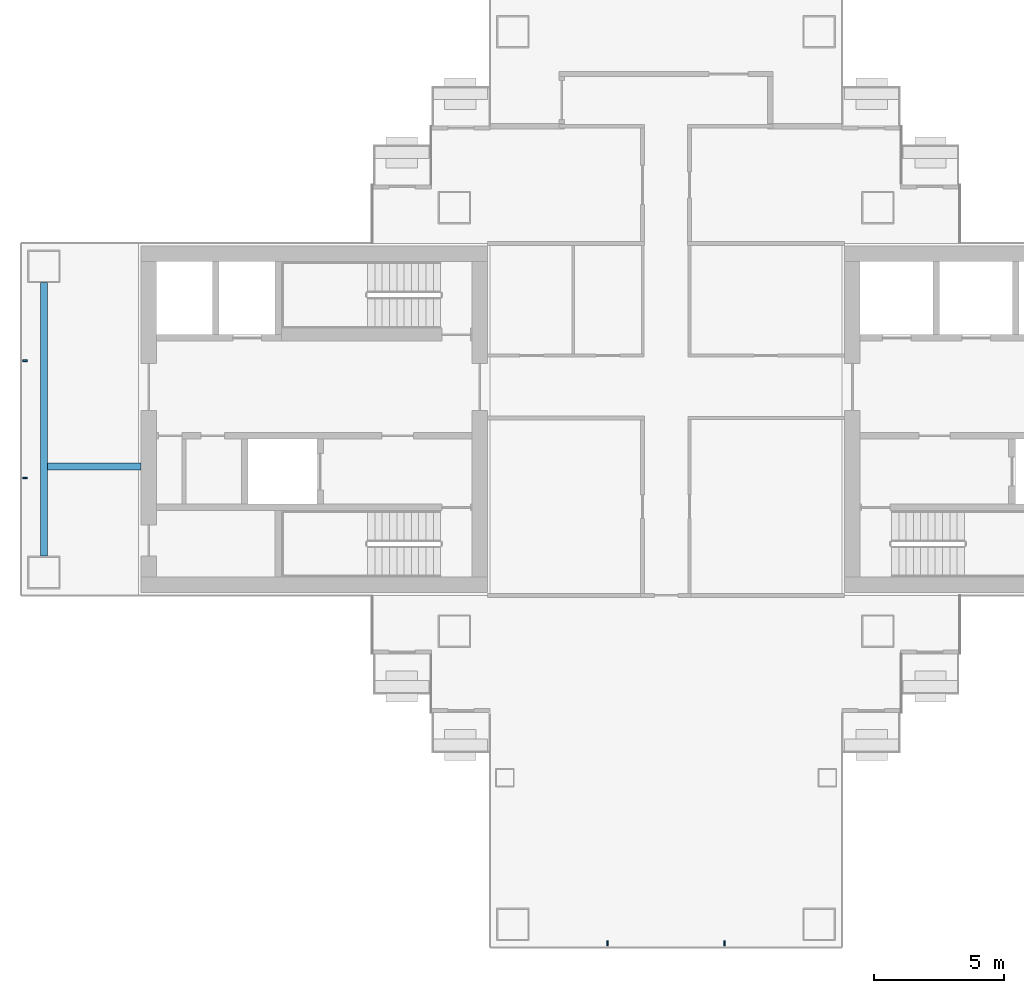
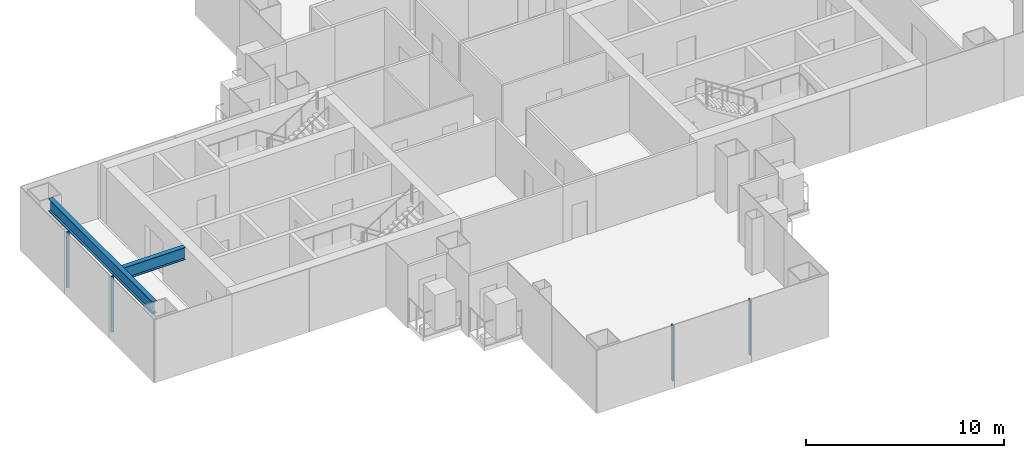
# One storey, part 3 of 20: 4 members, 2 beams, 2 elements without a shape of their own.
"""IFC4 building model written with IfcOpenShell, lengths in metres."""

from ifc_helpers import new_model, si_unit, direction, frame, origin, origin_2d, place, context, subcontext, project, spatial, rectangle, i_section, extrude, material, layer, layer_set, material_profile, profile_set, type_object, element, aggregate, save


model = new_model("IFC4")

# Units and contexts
model_context = context("Model", 3, precision=1e-05, world=origin(), true_north=direction((0.0, 1.0)))
body_context = subcontext(model_context, "Body", "Model", "MODEL_VIEW")
ifc_project = project(units=[si_unit("LENGTHUNIT", "METRE"), si_unit("AREAUNIT", "SQUARE_METRE"), si_unit("VOLUMEUNIT", "CUBIC_METRE"), si_unit("PLANEANGLEUNIT", "RADIAN"), si_unit("MASSUNIT", "GRAM", prefix="KILO")], contexts=[model_context])

# Site, building, storey
site_placement = place(None, origin())
site = spatial("IfcSite", under=ifc_project, at=site_placement, CompositionType="ELEMENT")
building_placement = place(site_placement, origin())
building = spatial("IfcBuilding", under=site, at=building_placement, Name="Shamsa Quay Exchange Towers", CompositionType="ELEMENT")
storey_placement = place(building_placement, frame((0.0, 0.0, 124.800048828125)))
storey = spatial("IfcBuildingStorey", under=building, at=storey_placement, Name="L29", CompositionType="ELEMENT", Elevation=124.800048828125)

# Curtain wall, members
ifc_material_1 = material(Name="Aluminium EN AW-6063 T6, black anodised", Category="aluminium")
ifc_layer = layer(ifc_material_1, 0.280029296875)
ifc_layer_set = layer_set([ifc_layer], Name="CW-1 UNITISED VISION GLASS")
curtain_wall_type = type_object("IfcCurtainWallType", Name="CW-1 UNITISED VISION GLASS", PredefinedType="NOTDEFINED", material=ifc_layer_set)
curtain_wall_1_placement = place(storey_placement, origin())
curtain_wall_1 = element("IfcCurtainWall", 1, at=curtain_wall_1_placement, inside=storey, type_object=curtain_wall_type, Name="CW1 T1-END-V- L29", PredefinedType="NOTDEFINED")
ifc_material_profile_1 = material_profile(ifc_material_1, rectangle(XDim=0.179931640625, YDim=0.06005859375, at=origin_2d()), Name="MU60x180")
ifc_profile_set_1 = profile_set([ifc_material_profile_1], Name="Aluminium EN AW-6063 T6, black anodised")
member_type = type_object("IfcMemberType", Name="CW1 MULLION 60x180", PredefinedType="MULLION", material=ifc_profile_set_1)
member_1_placement = place(storey_placement, frame((-36.0, -20.10009765625, 0.0), z_axis=(0.0, 0.0, 1.0), x_axis=(0.0, 1.0, 0.0)))
member_1 = element("IfcMember", 2, at=member_1_placement, type_object=member_type, Name="CW1 mullion", PredefinedType="MULLION", context=body_context, shape_type="SweptSolid", body=[
    extrude(rectangle(XDim=0.179931640625, YDim=0.06005859375, at=origin_2d()), origin(), (0.0, 0.0, 1.0), 3.449951171875),
])
member_2_placement = place(storey_placement, frame((-31.5, -20.10009765625, 0.0), z_axis=(0.0, 0.0, 1.0), x_axis=(0.0, 1.0, 0.0)))
member_2 = element("IfcMember", 3, at=member_2_placement, type_object=member_type, Name="CW1 mullion", PredefinedType="MULLION", context=body_context, shape_type="SweptSolid", body=[
    extrude(rectangle(XDim=0.179931640625, YDim=0.06005859375, at=origin_2d()), origin(), (0.0, 0.0, 1.0), 3.449951171875),
])
aggregate(curtain_wall_1, [member_1, member_2])

curtain_wall_2_placement = place(storey_placement, origin())
curtain_wall_2 = element("IfcCurtainWall", 4, at=curtain_wall_2_placement, inside=storey, type_object=curtain_wall_type, Name="CW1 T1-END-U- L29", PredefinedType="NOTDEFINED")
member_3_placement = place(storey_placement, frame((-58.35009765625, 2.25, 0.0)))
member_3 = element("IfcMember", 5, at=member_3_placement, type_object=member_type, Name="CW1 mullion", PredefinedType="MULLION", context=body_context, shape_type="SweptSolid", body=[
    extrude(rectangle(XDim=0.179931640625, YDim=0.06005859375, at=origin_2d()), origin(), (0.0, 0.0, 1.0), 3.449951171875),
])
member_4_placement = place(storey_placement, frame((-58.35009765625, -2.25, 0.0)))
member_4 = element("IfcMember", 6, at=member_4_placement, type_object=member_type, Name="CW1 mullion", PredefinedType="MULLION", context=body_context, shape_type="SweptSolid", body=[
    extrude(rectangle(XDim=0.179931640625, YDim=0.06005859375, at=origin_2d()), origin(), (0.0, 0.0, 1.0), 3.449951171875),
])
aggregate(curtain_wall_2, [member_3, member_4])

# Beams
ifc_material_2 = material(Name="Steel S355", Category="steel")
ifc_material_profile_2 = material_profile(ifc_material_2, i_section(OverallWidth=0.26611328125, OverallDepth=0.7578125, WebThickness=0.013916015625, FlangeThickness=0.019287109375, at=origin_2d()), Name="W30x108")
ifc_profile_set_2 = profile_set([ifc_material_profile_2], Name="Steel S355")
beam_type = type_object("IfcBeamType", Name="End-zone beam W30x108", PredefinedType="BEAM", material=ifc_profile_set_2)
beam_1_placement = place(storey_placement, frame((-57.625, -5.25, 3.071044921875), z_axis=(0.0, 1.0, 0.0), x_axis=(-1.0, 0.0, 0.0)))
element("IfcBeam", 7, at=beam_1_placement, inside=storey, type_object=beam_type, Name="End beam T1 U- end zone L29", PredefinedType="BEAM", context=body_context, shape_type="SweptSolid", body=[
    extrude(i_section(OverallWidth=0.26611328125, OverallDepth=0.7578125, WebThickness=0.013916015625, FlangeThickness=0.019287109375, at=origin_2d()), origin(), (0.0, 0.0, 1.0), 10.5),
])
beam_2_placement = place(storey_placement, frame((-53.89990234375, -1.800048828125, 3.071044921875), z_axis=(-1.0, 0.0, 0.0), x_axis=(0.0, -1.0, 0.0)))
element("IfcBeam", 8, at=beam_2_placement, inside=storey, type_object=beam_type, Name="Spine beam T1 U- end zone L29", PredefinedType="BEAM", context=body_context, shape_type="SweptSolid", body=[
    extrude(i_section(OverallWidth=0.26611328125, OverallDepth=0.7578125, WebThickness=0.013916015625, FlangeThickness=0.019287109375, at=origin_2d()), origin(), (0.0, 0.0, 1.0), 3.592041015625),
])

save(model, "model.ifc")
